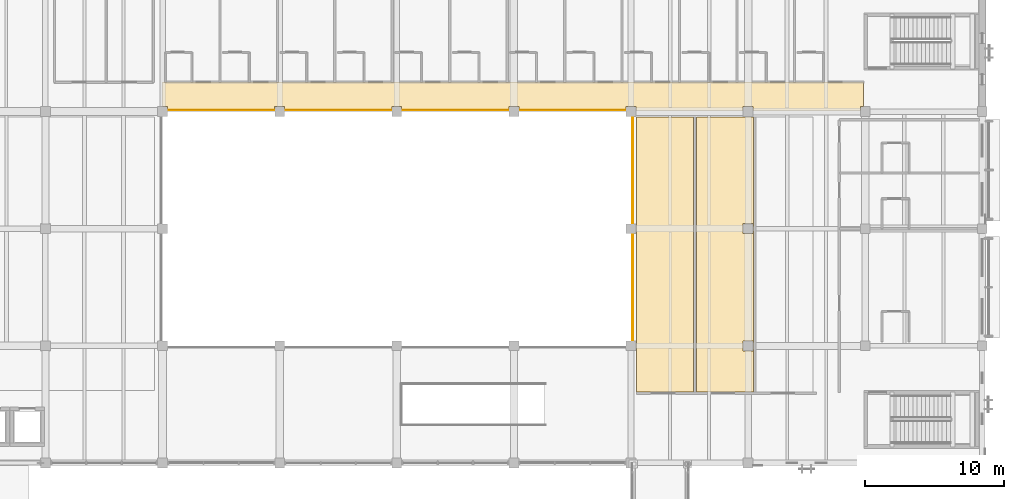
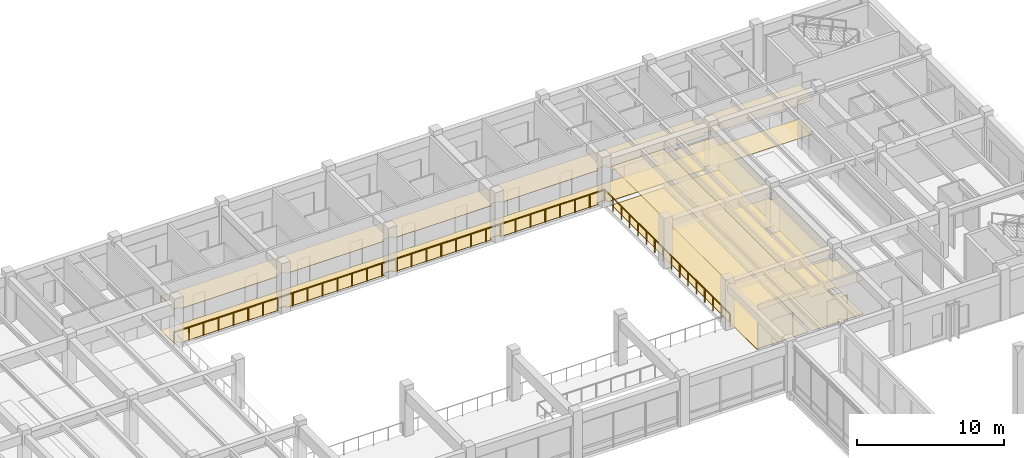
# One storey, part 130 of 132: 6 coverings, 2 railings.
"""IFC4 building model written with IfcOpenShell, lengths in metres."""

from ifc_helpers import new_model, si_unit, direction, frame, origin, origin_2d, place, context, subcontext, project, spatial, polyline, circle, outline, extrude, material, layer, layer_set, type_object, element, save


model = new_model("IFC4")

# Units and contexts
model_context = context("Model", 3, precision=1e-05, world=origin(), true_north=direction((0.0, 1.0)))
body_context = subcontext(model_context, "Body", "Model", "MODEL_VIEW")
ifc_project = project(units=[si_unit("LENGTHUNIT", "METRE"), si_unit("AREAUNIT", "SQUARE_METRE"), si_unit("VOLUMEUNIT", "CUBIC_METRE"), si_unit("PLANEANGLEUNIT", "RADIAN"), si_unit("MASSUNIT", "GRAM", prefix="KILO")], contexts=[model_context])

# Site, building, storey
site_placement = place(None, origin())
site = spatial("IfcSite", under=ifc_project, at=site_placement, CompositionType="ELEMENT")
building_placement = place(site_placement, origin())
building = spatial("IfcBuilding", under=site, at=building_placement, Name="Cumbredor Promenade Congress Hotel", CompositionType="ELEMENT")
storey_placement = place(building_placement, frame((0.0, 0.0, 7.56005859375)))
storey = spatial("IfcBuildingStorey", under=building, at=storey_placement, Name="L02", CompositionType="ELEMENT", Elevation=7.56005859375)

# Coverings
ifc_material_1 = material(Name="Acoustic mineral-fiber and gypsum ceiling")
ifc_layer_1 = layer(ifc_material_1, 0.01806640625, Name="Acoustic mineral-fiber and gypsum ceiling")
ifc_layer_set_1 = layer_set([ifc_layer_1], Name="Acoustic mineral-fiber and gypsum ceiling")
covering_type_1 = type_object("IfcCoveringType", Name="Acoustic Perforated Gypsum Ceiling CLG-01 18mm", PredefinedType="CEILING", material=ifc_layer_set_1)
covering_1_placement = place(storey_placement, frame((0.0, 0.0, 3.23388671875)))
element("IfcCovering", 1, at=covering_1_placement, inside=storey, type_object=covering_type_1, Name="L02 East Congress Commission Room 3 Acoustic Ceiling", PredefinedType="CEILING", context=body_context, shape_type="SweptSolid", body=[
    extrude(outline(polyline([(151.580078125, 108.820068359375), (155.669921875, 108.820068359375), (155.669921875, 89.080078125), (151.580078125, 89.080078125), (151.580078125, 108.820068359375)])), origin(), (0.0, 0.0, 1.0), 0.01806640625),
])
ifc_layer_2 = layer(ifc_material_1, 0.02197265625, Name="Acoustic mineral-fiber and gypsum ceiling")
ifc_layer_set_2 = layer_set([ifc_layer_2], Name="Acoustic mineral-fiber and gypsum ceiling")
covering_type_2 = type_object("IfcCoveringType", Name="Acoustic Perforated Gypsum Ceiling CLG-02 22mm", PredefinedType="CEILING", material=ifc_layer_set_2)
covering_2_placement = place(storey_placement, frame((0.0, 0.0, 2.828857421875)))
element("IfcCovering", 2, at=covering_2_placement, inside=storey, type_object=covering_type_2, Name="L02 East Congress Commission Room 4 Acoustic Ceiling", PredefinedType="CEILING", context=body_context, shape_type="SweptSolid", body=[
    extrude(outline(polyline([(159.969970703125, 89.080078125), (155.8798828125, 89.080078125), (155.8798828125, 108.820068359375), (159.969970703125, 108.820068359375), (159.969970703125, 89.080078125)]), holes=[polyline([(159.2451171875, 92.7548828125), (159.2451171875, 92.044921875), (159.955078125, 92.044921875), (159.955078125, 92.7548828125), (159.2451171875, 92.7548828125)]), polyline([(159.955078125, 101.155029296875), (159.2451171875, 101.155029296875), (159.2451171875, 100.445068359375), (159.955078125, 100.445068359375), (159.955078125, 101.155029296875)])]), origin(), (0.0, 0.0, 1.0), 0.02197265625),
])
ifc_layer_3 = layer(ifc_material_1, 0.031982421875, Name="Acoustic mineral-fiber and gypsum ceiling")
ifc_layer_set_3 = layer_set([ifc_layer_3], Name="Acoustic mineral-fiber and gypsum ceiling")
covering_type_3 = type_object("IfcCoveringType", Name="Acoustic Perforated Gypsum Ceiling CLG-04 32mm", PredefinedType="CEILING", material=ifc_layer_set_3)
covering_3_placement = place(storey_placement, frame((0.0, 0.0, 2.81884765625)))
element("IfcCovering", 3, at=covering_3_placement, inside=storey, type_object=covering_type_3, Name="L02 Forum North Delegate Corridor Acoustic Ceiling", PredefinedType="CEILING", context=body_context, shape_type="SweptSolid", body=[
    extrude(outline(polyline([(142.445068359375, 109.554931640625), (142.445068359375, 109.35009765625), (134.7548828125, 109.35009765625), (134.7548828125, 109.554931640625), (134.044921875, 109.554931640625), (134.044921875, 109.35009765625), (126.35498046875, 109.35009765625), (126.35498046875, 109.554931640625), (125.64501953125, 109.554931640625), (125.64501953125, 109.35009765625), (117.955078125, 109.35009765625), (117.955078125, 109.554931640625), (117.580078125, 109.554931640625), (117.580078125, 111.320068359375), (167.8701171875, 111.320068359375), (167.8701171875, 109.554931640625), (167.64501953125, 109.554931640625), (167.64501953125, 109.280029296875), (159.955078125, 109.280029296875), (159.955078125, 109.554931640625), (159.2451171875, 109.554931640625), (159.2451171875, 109.280029296875), (151.554931640625, 109.280029296875), (151.554931640625, 109.554931640625), (150.844970703125, 109.554931640625), (150.844970703125, 109.35009765625), (143.155029296875, 109.35009765625), (143.155029296875, 109.554931640625), (142.445068359375, 109.554931640625)])), origin(), (0.0, 0.0, 1.0), 0.031982421875),
])

# Railings
ifc_material_2 = material(Name="Brushed stainless steel", Category="steel")
railing_type = type_object("IfcRailingType", Name="Interior Void & Stair Guardrail GR-1100", PredefinedType="GUARDRAIL", material=ifc_material_2)
railing_1_placement = place(storey_placement, frame((151.320068359375, 92.280029296875, 0.0)))
element("IfcRailing", 4, at=railing_1_placement, inside=storey, type_object=railing_type, Name="L02 v4_forum_atrium Void Perimeter Guardrail 2", PredefinedType="GUARDRAIL", context=body_context, shape_type="SweptSolid", body=[
    extrude(circle(Radius=0.02392578125, at=origin_2d()), frame((0.0, 0.0, 1.09619140625), z_axis=(0.0, 1.0, 0.0), x_axis=(-1.0, 0.0, 0.0)), (0.0, 0.0, 1.0), 17.0400390625),
    extrude(circle(Radius=0.02099609375, at=origin_2d()), origin(), (0.0, 0.0, 1.0), 1.072021484375),
    extrude(circle(Radius=0.02099609375, at=origin_2d()), frame((0.0, 1.135986328125, 0.0)), (0.0, 0.0, 1.0), 1.072021484375),
    extrude(circle(Radius=0.02099609375, at=origin_2d()), frame((0.0, 2.27197265625, 0.0)), (0.0, 0.0, 1.0), 1.072021484375),
    extrude(circle(Radius=0.02099609375, at=origin_2d()), frame((0.0, 3.407958984375, 0.0)), (0.0, 0.0, 1.0), 1.072021484375),
    extrude(circle(Radius=0.02099609375, at=origin_2d()), frame((0.0, 4.5439453125, 0.0)), (0.0, 0.0, 1.0), 1.072021484375),
    extrude(circle(Radius=0.02099609375, at=origin_2d()), frame((0.0, 5.679931640625, 0.0)), (0.0, 0.0, 1.0), 1.072021484375),
    extrude(circle(Radius=0.02099609375, at=origin_2d()), frame((0.0, 6.81591796875, 0.0)), (0.0, 0.0, 1.0), 1.072021484375),
    extrude(circle(Radius=0.02099609375, at=origin_2d()), frame((0.0, 7.951904296875, 0.0)), (0.0, 0.0, 1.0), 1.072021484375),
    extrude(circle(Radius=0.02099609375, at=origin_2d()), frame((0.0, 9.088134765625, 0.0)), (0.0, 0.0, 1.0), 1.072021484375),
    extrude(circle(Radius=0.02099609375, at=origin_2d()), frame((0.0, 10.22412109375, 0.0)), (0.0, 0.0, 1.0), 1.072021484375),
    extrude(circle(Radius=0.02099609375, at=origin_2d()), frame((0.0, 11.360107421875, 0.0)), (0.0, 0.0, 1.0), 1.072021484375),
    extrude(circle(Radius=0.02099609375, at=origin_2d()), frame((0.0, 12.49609375, 0.0)), (0.0, 0.0, 1.0), 1.072021484375),
    extrude(circle(Radius=0.02099609375, at=origin_2d()), frame((0.0, 13.632080078125, 0.0)), (0.0, 0.0, 1.0), 1.072021484375),
    extrude(circle(Radius=0.02099609375, at=origin_2d()), frame((0.0, 14.76806640625, 0.0)), (0.0, 0.0, 1.0), 1.072021484375),
    extrude(circle(Radius=0.02099609375, at=origin_2d()), frame((0.0, 15.904052734375, 0.0)), (0.0, 0.0, 1.0), 1.072021484375),
    extrude(circle(Radius=0.02099609375, at=origin_2d()), frame((0.0, 17.0400390625, 0.0)), (0.0, 0.0, 1.0), 1.072021484375),
])
railing_2_placement = place(storey_placement, frame((151.320068359375, 109.320068359375, 0.0)))
element("IfcRailing", 5, at=railing_2_placement, inside=storey, type_object=railing_type, Name="L02 v4_forum_atrium Void Perimeter Guardrail 3", PredefinedType="GUARDRAIL", context=body_context, shape_type="SweptSolid", body=[
    extrude(circle(Radius=0.02392578125, at=origin_2d()), frame((0.0, 0.0, 1.09619140625), z_axis=(-1.0, 0.0, 0.0), x_axis=(0.0, -1.0, 0.0)), (0.0, 0.0, 1.0), 33.840087890625),
    extrude(circle(Radius=0.02099609375, at=origin_2d()), origin(), (0.0, 0.0, 1.0), 1.072021484375),
    extrude(circle(Radius=0.02099609375, at=origin_2d()), frame((-1.1669921875, 0.0, 0.0)), (0.0, 0.0, 1.0), 1.072021484375),
    extrude(circle(Radius=0.02099609375, at=origin_2d()), frame((-2.333740234375, 0.0, 0.0)), (0.0, 0.0, 1.0), 1.072021484375),
    extrude(circle(Radius=0.02099609375, at=origin_2d()), frame((-3.500732421875, 0.0, 0.0)), (0.0, 0.0, 1.0), 1.072021484375),
    extrude(circle(Radius=0.02099609375, at=origin_2d()), frame((-4.66748046875, 0.0, 0.0)), (0.0, 0.0, 1.0), 1.072021484375),
    extrude(circle(Radius=0.02099609375, at=origin_2d()), frame((-5.83447265625, 0.0, 0.0)), (0.0, 0.0, 1.0), 1.072021484375),
    extrude(circle(Radius=0.02099609375, at=origin_2d()), frame((-7.00146484375, 0.0, 0.0)), (0.0, 0.0, 1.0), 1.072021484375),
    extrude(circle(Radius=0.02099609375, at=origin_2d()), frame((-8.168212890625, 0.0, 0.0)), (0.0, 0.0, 1.0), 1.072021484375),
    extrude(circle(Radius=0.02099609375, at=origin_2d()), frame((-9.335205078125, 0.0, 0.0)), (0.0, 0.0, 1.0), 1.072021484375),
    extrude(circle(Radius=0.02099609375, at=origin_2d()), frame((-10.502197265625, 0.0, 0.0)), (0.0, 0.0, 1.0), 1.072021484375),
    extrude(circle(Radius=0.02099609375, at=origin_2d()), frame((-11.6689453125, 0.0, 0.0)), (0.0, 0.0, 1.0), 1.072021484375),
    extrude(circle(Radius=0.02099609375, at=origin_2d()), frame((-12.8359375, 0.0, 0.0)), (0.0, 0.0, 1.0), 1.072021484375),
    extrude(circle(Radius=0.02099609375, at=origin_2d()), frame((-14.002685546875, 0.0, 0.0)), (0.0, 0.0, 1.0), 1.072021484375),
    extrude(circle(Radius=0.02099609375, at=origin_2d()), frame((-15.169677734375, 0.0, 0.0)), (0.0, 0.0, 1.0), 1.072021484375),
    extrude(circle(Radius=0.02099609375, at=origin_2d()), frame((-16.336669921875, 0.0, 0.0)), (0.0, 0.0, 1.0), 1.072021484375),
    extrude(circle(Radius=0.02099609375, at=origin_2d()), frame((-17.50341796875, 0.0, 0.0)), (0.0, 0.0, 1.0), 1.072021484375),
    extrude(circle(Radius=0.02099609375, at=origin_2d()), frame((-18.67041015625, 0.0, 0.0)), (0.0, 0.0, 1.0), 1.072021484375),
    extrude(circle(Radius=0.02099609375, at=origin_2d()), frame((-19.83740234375, 0.0, 0.0)), (0.0, 0.0, 1.0), 1.072021484375),
    extrude(circle(Radius=0.02099609375, at=origin_2d()), frame((-21.004150390625, 0.0, 0.0)), (0.0, 0.0, 1.0), 1.072021484375),
    extrude(circle(Radius=0.02099609375, at=origin_2d()), frame((-22.171142578125, 0.0, 0.0)), (0.0, 0.0, 1.0), 1.072021484375),
    extrude(circle(Radius=0.02099609375, at=origin_2d()), frame((-23.337890625, 0.0, 0.0)), (0.0, 0.0, 1.0), 1.072021484375),
    extrude(circle(Radius=0.02099609375, at=origin_2d()), frame((-24.5048828125, 0.0, 0.0)), (0.0, 0.0, 1.0), 1.072021484375),
    extrude(circle(Radius=0.02099609375, at=origin_2d()), frame((-25.671875, 0.0, 0.0)), (0.0, 0.0, 1.0), 1.072021484375),
    extrude(circle(Radius=0.02099609375, at=origin_2d()), frame((-26.838623046875, 0.0, 0.0)), (0.0, 0.0, 1.0), 1.072021484375),
    extrude(circle(Radius=0.02099609375, at=origin_2d()), frame((-28.005615234375, 0.0, 0.0)), (0.0, 0.0, 1.0), 1.072021484375),
    extrude(circle(Radius=0.02099609375, at=origin_2d()), frame((-29.172607421875, 0.0, 0.0)), (0.0, 0.0, 1.0), 1.072021484375),
    extrude(circle(Radius=0.02099609375, at=origin_2d()), frame((-30.33935546875, 0.0, 0.0)), (0.0, 0.0, 1.0), 1.072021484375),
    extrude(circle(Radius=0.02099609375, at=origin_2d()), frame((-31.50634765625, 0.0, 0.0)), (0.0, 0.0, 1.0), 1.072021484375),
    extrude(circle(Radius=0.02099609375, at=origin_2d()), frame((-32.673095703125, 0.0, 0.0)), (0.0, 0.0, 1.0), 1.072021484375),
    extrude(circle(Radius=0.02099609375, at=origin_2d()), frame((-33.840087890625, 0.0, 0.0)), (0.0, 0.0, 1.0), 1.072021484375),
])

# Coverings
ifc_material_3 = material(Name="Porcelain stoneware tile", Category="masonry")
ifc_layer_4 = layer(ifc_material_3, 0.02001953125, Name="Porcelain stoneware tile", Category="masonry")
ifc_layer_set_4 = layer_set([ifc_layer_4], Name="Porcelain stoneware tile")
covering_type_4 = type_object("IfcCoveringType", Name="Porcelain Stoneware Flooring FLR-01 20mm", PredefinedType="FLOORING", material=ifc_layer_set_4)
covering_4_placement = place(storey_placement, origin())
element("IfcCovering", 6, at=covering_4_placement, inside=storey, type_object=covering_type_4, Name="L02 East Congress Commission Room 4 Porcelain Flooring", PredefinedType="FLOORING", context=body_context, shape_type="SweptSolid", body=[
    extrude(outline(polyline([(159.969970703125, 89.080078125), (155.8798828125, 89.080078125), (155.8798828125, 108.820068359375), (159.969970703125, 108.820068359375), (159.969970703125, 89.080078125)]), holes=[polyline([(159.2451171875, 92.7548828125), (159.2451171875, 92.044921875), (159.955078125, 92.044921875), (159.955078125, 92.7548828125), (159.2451171875, 92.7548828125)]), polyline([(159.955078125, 101.155029296875), (159.2451171875, 101.155029296875), (159.2451171875, 100.445068359375), (159.955078125, 100.445068359375), (159.955078125, 101.155029296875)])]), origin(), (0.0, 0.0, 1.0), 0.02001953125),
])
ifc_layer_5 = layer(ifc_material_3, 0.02490234375, Name="Porcelain stoneware tile", Category="masonry")
ifc_layer_set_5 = layer_set([ifc_layer_5], Name="Porcelain stoneware tile")
covering_type_5 = type_object("IfcCoveringType", Name="Porcelain Stoneware Flooring FLR-02 25mm", PredefinedType="FLOORING", material=ifc_layer_set_5)
covering_5_placement = place(storey_placement, origin())
element("IfcCovering", 7, at=covering_5_placement, inside=storey, type_object=covering_type_5, Name="L02 Forum North Delegate Corridor Porcelain Flooring", PredefinedType="FLOORING", context=body_context, shape_type="SweptSolid", body=[
    extrude(outline(polyline([(142.445068359375, 109.554931640625), (142.445068359375, 109.35009765625), (134.7548828125, 109.35009765625), (134.7548828125, 109.554931640625), (134.044921875, 109.554931640625), (134.044921875, 109.35009765625), (126.35498046875, 109.35009765625), (126.35498046875, 109.554931640625), (125.64501953125, 109.554931640625), (125.64501953125, 109.35009765625), (117.955078125, 109.35009765625), (117.955078125, 109.554931640625), (117.580078125, 109.554931640625), (117.580078125, 111.320068359375), (167.8701171875, 111.320068359375), (167.8701171875, 109.554931640625), (167.64501953125, 109.554931640625), (167.64501953125, 109.280029296875), (159.955078125, 109.280029296875), (159.955078125, 109.554931640625), (159.2451171875, 109.554931640625), (159.2451171875, 109.280029296875), (151.554931640625, 109.280029296875), (151.554931640625, 109.554931640625), (150.844970703125, 109.554931640625), (150.844970703125, 109.35009765625), (143.155029296875, 109.35009765625), (143.155029296875, 109.554931640625), (142.445068359375, 109.554931640625)])), origin(), (0.0, 0.0, 1.0), 0.02490234375),
])
ifc_layer_6 = layer(ifc_material_3, 0.030029296875, Name="Porcelain stoneware tile", Category="masonry")
ifc_layer_set_6 = layer_set([ifc_layer_6], Name="Porcelain stoneware tile")
covering_type_6 = type_object("IfcCoveringType", Name="Porcelain Stoneware Flooring FLR-03 30mm", PredefinedType="FLOORING", material=ifc_layer_set_6)
covering_6_placement = place(storey_placement, origin())
element("IfcCovering", 8, at=covering_6_placement, inside=storey, type_object=covering_type_6, Name="L02 East Congress Commission Room 3 Porcelain Flooring", PredefinedType="FLOORING", context=body_context, shape_type="SweptSolid", body=[
    extrude(outline(polyline([(151.580078125, 108.820068359375), (155.669921875, 108.820068359375), (155.669921875, 89.080078125), (151.580078125, 89.080078125), (151.580078125, 108.820068359375)])), origin(), (0.0, 0.0, 1.0), 0.030029296875),
])

save(model, "model.ifc")
